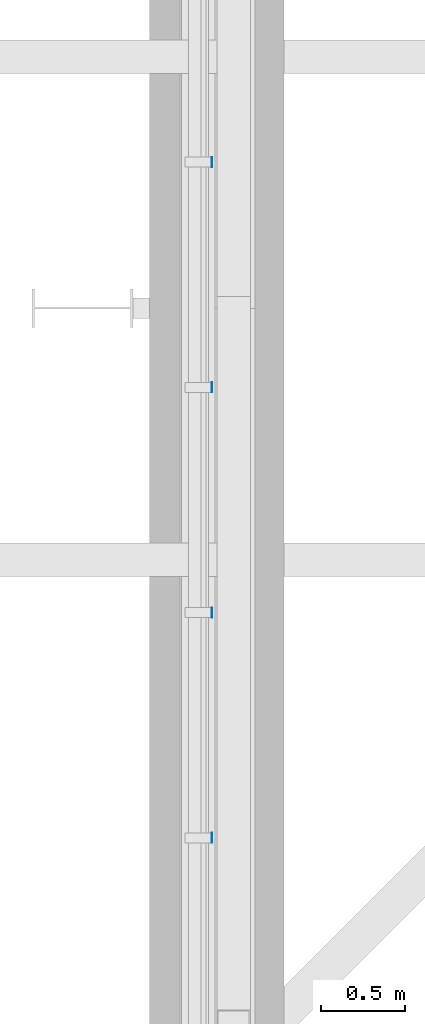
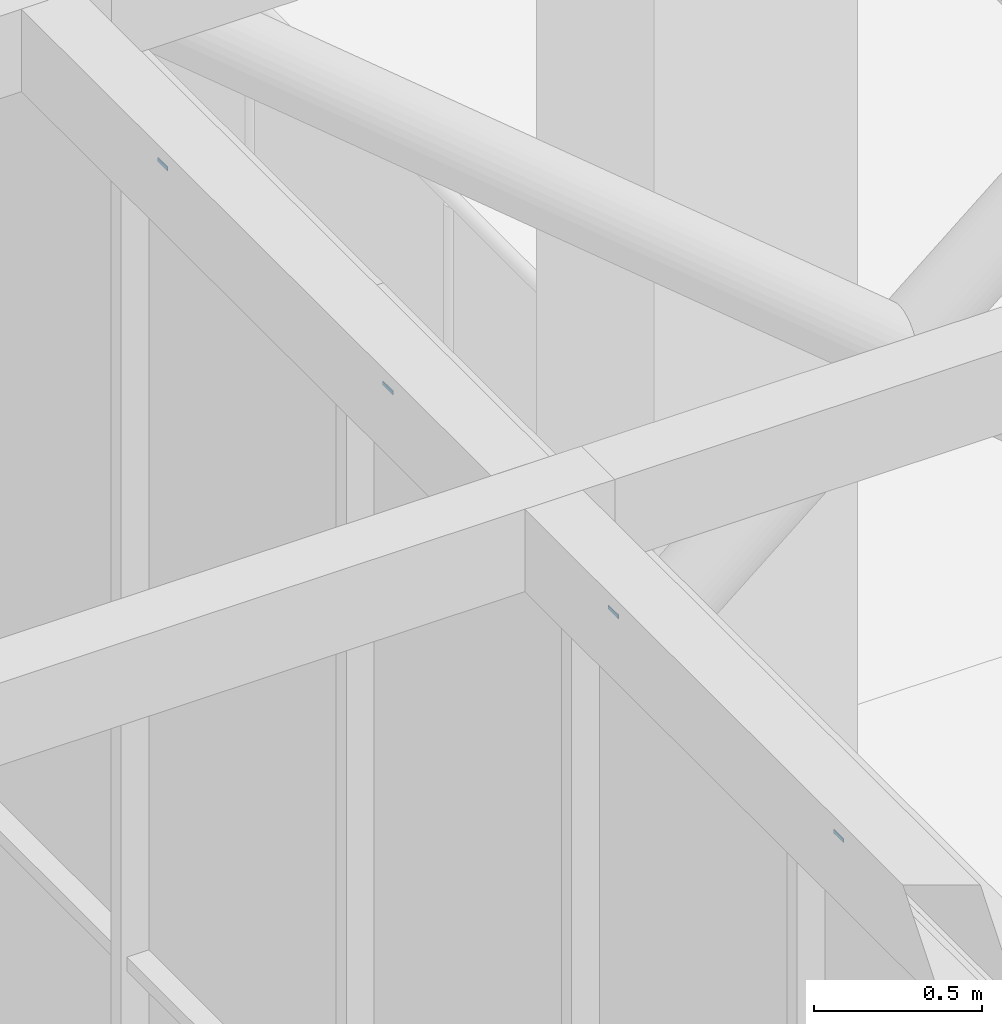
# One storey, part 238 of 646: 4 discrete accessories.
"""IFC4 building model written with IfcOpenShell, lengths in metres."""

from ifc_helpers import new_model, si_unit, direction, frame, origin, origin_2d, place, context, subcontext, project, spatial, rectangle, extrude, material, type_object, element, save


model = new_model("IFC4")

# Units and contexts
model_context = context("Model", 3, precision=1e-05, world=origin(), true_north=direction((0.0, 1.0)))
body_context = subcontext(model_context, "Body", "Model", "MODEL_VIEW")
ifc_project = project(units=[si_unit("LENGTHUNIT", "METRE"), si_unit("AREAUNIT", "SQUARE_METRE"), si_unit("VOLUMEUNIT", "CUBIC_METRE"), si_unit("PLANEANGLEUNIT", "RADIAN"), si_unit("MASSUNIT", "GRAM", prefix="KILO")], contexts=[model_context])

# Site, building, storey
site_placement = place(None, origin())
site = spatial("IfcSite", under=ifc_project, at=site_placement, CompositionType="ELEMENT")
building_placement = place(site_placement, origin())
building = spatial("IfcBuilding", under=site, at=building_placement, Name="Silverbay Arena", CompositionType="ELEMENT")
storey_placement = place(building_placement, frame((0.0, 0.0, 33.5)))
storey = spatial("IfcBuildingStorey", under=building, at=storey_placement, Name="L05", CompositionType="ELEMENT", Elevation=33.5)

# Discrete accessories
ifc_material = material(Name="Steel S355", Category="steel")
discrete_accessory_type = type_object("IfcDiscreteAccessoryType", Name="Steel bracket plate", PredefinedType="BRACKET", material=ifc_material)
for number, where, z_axis, x_axis, name in (
    (1, (53.871337890625, 19.3427734375, 12.98583984375), (0.0, 0.0, 1.0), (1.0, 0.0, 0.0), "Curtain wall packing plate"),
    (2, (53.871337890625, 20.685791015625, 12.98583984375), (0.0, 0.0, 1.0), (1.0, 0.0, 0.0), "Curtain wall packing plate"),
    (3, (53.871337890625, 22.028564453125, 12.98583984375), (0.0, 0.0, 1.0), (1.0, 0.0, 0.0), "Curtain wall packing plate"),
    (4, (53.871337890625, 23.371337890625, 12.98583984375), (0.0, 0.0, 1.0), (1.0, 0.0, 0.0), "Curtain wall packing plate"),
):
    element("IfcDiscreteAccessory", number, at=place(storey_placement, frame(where, z_axis=z_axis, x_axis=x_axis)), inside=storey, type_object=discrete_accessory_type, Name=name, PredefinedType="BRACKET", context=body_context, shape_type="SweptSolid", body=[
        extrude(rectangle(XDim=0.002685546875, YDim=0.06005859375, at=origin_2d()), origin(), (0.0, 0.0, 1.0), 0.01416015625),
    ])

save(model, "model.ifc")
